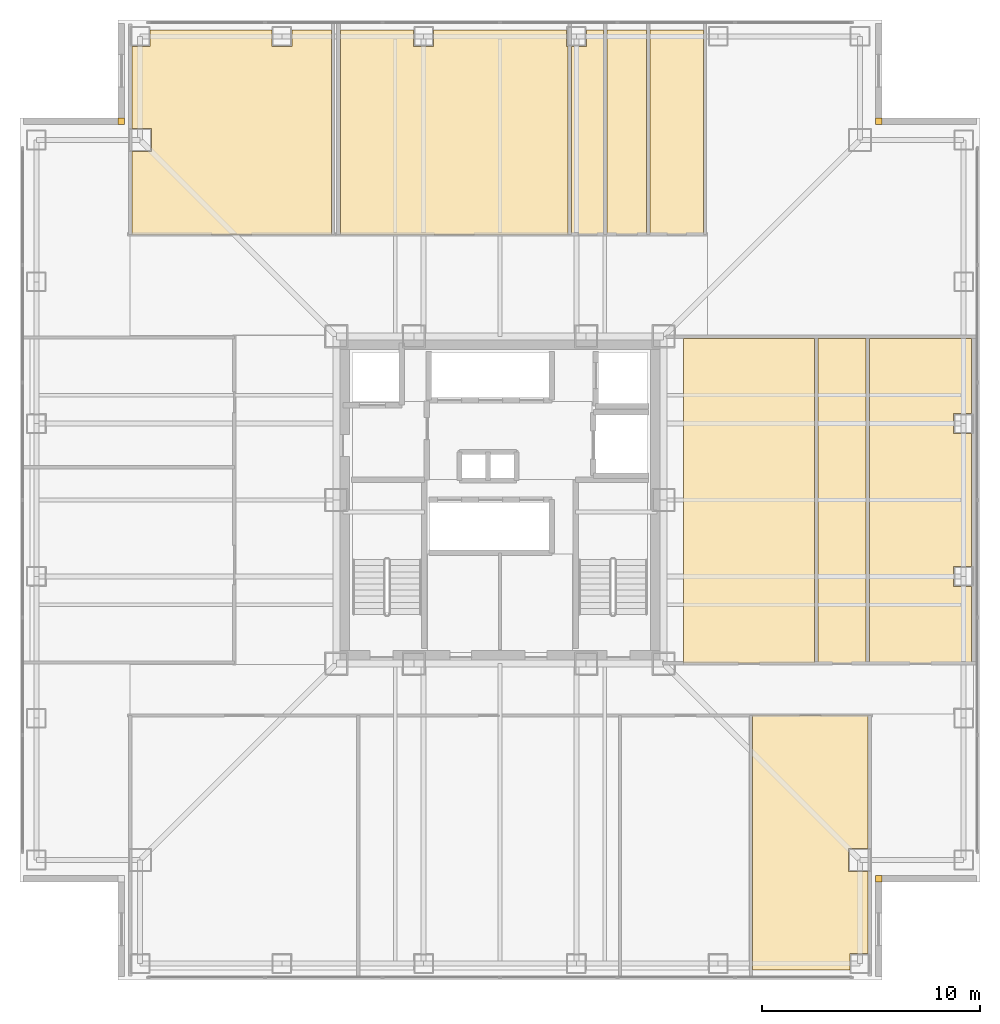
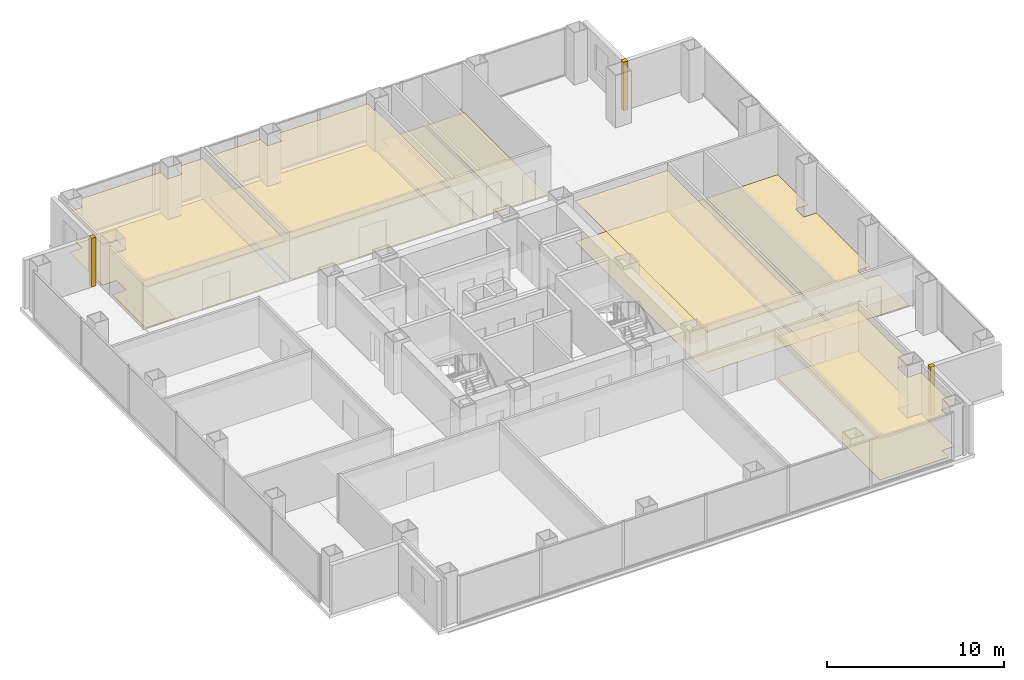
# One storey, part 14 of 14: 16 coverings.
"""IFC4 building model written with IfcOpenShell, lengths in metres."""

from ifc_helpers import new_model, si_unit, direction, frame, origin, place, context, subcontext, project, spatial, polyline, outline, extrude, material, layer, layer_set, type_object, element, save


model = new_model("IFC4")

# Units and contexts
model_context = context("Model", 3, precision=1e-05, world=origin(), true_north=direction((0.0, 1.0)))
body_context = subcontext(model_context, "Body", "Model", "MODEL_VIEW")
ifc_project = project(units=[si_unit("LENGTHUNIT", "METRE"), si_unit("AREAUNIT", "SQUARE_METRE"), si_unit("VOLUMEUNIT", "CUBIC_METRE"), si_unit("PLANEANGLEUNIT", "RADIAN"), si_unit("MASSUNIT", "GRAM", prefix="KILO")], contexts=[model_context])

# Site, building, storey
site_placement = place(None, origin())
site = spatial("IfcSite", under=ifc_project, at=site_placement, CompositionType="ELEMENT")
building_placement = place(site_placement, origin())
building = spatial("IfcBuilding", under=site, at=building_placement, Name="Trevonay Congress Spire", CompositionType="ELEMENT")
storey_placement = place(building_placement, frame((0.0, 0.0, 119.199951171875)))
storey = spatial("IfcBuildingStorey", under=building, at=storey_placement, Name="L30", CompositionType="ELEMENT", Elevation=119.199951171875)

# Coverings
ifc_material_1 = material(Name="Acoustic Mineral Fibre Board", Category="gypsum")
ifc_layer_1 = layer(ifc_material_1, 0.02490234375, Name="Acoustic Mineral Fibre Board")
ifc_layer_set_1 = layer_set([ifc_layer_1], Name="Acoustic Mineral Fibre Board")
covering_type_1 = type_object("IfcCoveringType", Name="COV-CEIL-ACOUSTIC", PredefinedType="CEILING", material=ifc_layer_set_1)
covering_1_placement = place(storey_placement, frame((0.0, 0.0, 2.81005859375)))
element("IfcCovering", 1, at=covering_1_placement, inside=storey, type_object=covering_type_1, Name="L30 Dishwash and Pastry Pantry acoustic suspended ceiling", PredefinedType="CEILING", context=body_context, shape_type="SweptSolid", body=[
    extrude(outline(polyline([(11.580078125, -21.550048828125), (11.580078125, -9.8798828125), (16.8701171875, -9.8798828125), (16.8701171875, -15.965087890625), (15.965087890625, -15.965087890625), (15.965087890625, -17.034912109375), (16.8701171875, -17.034912109375), (16.8701171875, -20.7900390625), (16.0400390625, -20.7900390625), (16.0400390625, -21.550048828125), (11.580078125, -21.550048828125)])), origin(), (0.0, 0.0, 1.0), 0.02490234375),
])
covering_2_placement = place(storey_placement, frame((0.0, 0.0, 2.81005859375)))
element("IfcCovering", 2, at=covering_2_placement, inside=storey, type_object=covering_type_1, Name="L30 North-West Terrace Cafe Lounge acoustic suspended ceiling", PredefinedType="CEILING", context=body_context, shape_type="SweptSolid", body=[
    extrude(outline(polyline([(-7.72998046875, 21.550048828125), (-7.72998046875, 12.179931640625), (-16.8701171875, 12.179931640625), (-16.8701171875, 15.965087890625), (-15.965087890625, 15.965087890625), (-15.965087890625, 17.034912109375), (-16.8701171875, 17.034912109375), (-16.8701171875, 20.7900390625), (-16.0400390625, 20.7900390625), (-16.0400390625, 21.550048828125), (-10.4599609375, 21.550048828125), (-10.4599609375, 20.7900390625), (-9.5400390625, 20.7900390625), (-9.5400390625, 21.550048828125), (-7.72998046875, 21.550048828125)])), origin(), (0.0, 0.0, 1.0), 0.02490234375),
])
covering_3_placement = place(storey_placement, frame((0.0, 0.0, 2.81005859375)))
element("IfcCovering", 3, at=covering_3_placement, inside=storey, type_object=covering_type_1, Name="L30 International Press Club Lounge acoustic suspended ceiling", PredefinedType="CEILING", context=body_context, shape_type="SweptSolid", body=[
    extrude(outline(polyline([(3.1201171875, 12.179931640625), (-7.320068359375, 12.179931640625), (-7.320068359375, 21.550048828125), (-3.9599609375, 21.550048828125), (-3.9599609375, 20.7900390625), (-3.0400390625, 20.7900390625), (-3.0400390625, 21.550048828125), (3.0400390625, 21.550048828125), (3.0400390625, 20.7900390625), (3.1201171875, 20.7900390625), (3.1201171875, 12.179931640625)])), origin(), (0.0, 0.0, 1.0), 0.02490234375),
])
covering_4_placement = place(storey_placement, frame((0.0, 0.0, 2.81005859375)))
element("IfcCovering", 4, at=covering_4_placement, inside=storey, type_object=covering_type_1, Name="L30 Press Editorial Office acoustic suspended ceiling", PredefinedType="CEILING", context=body_context, shape_type="SweptSolid", body=[
    extrude(outline(polyline([(8.39990234375, -7.47998046875), (14.419921875, -7.47998046875), (14.419921875, 7.39990234375), (8.39990234375, 7.39990234375), (8.39990234375, -7.47998046875)])), origin(), (0.0, 0.0, 1.0), 0.02490234375),
])
ifc_material_2 = material(Name="Polished Granite Floor Tile", Category="masonry")
ifc_layer_2 = layer(ifc_material_2, 0.02001953125, Name="Polished Granite Floor Tile")
ifc_layer_set_2 = layer_set([ifc_layer_2], Name="Polished Granite Floor Tile")
covering_type_2 = type_object("IfcCoveringType", Name="COV-FLOOR-STONE", PredefinedType="FLOORING", material=ifc_layer_set_2)
covering_5_placement = place(storey_placement, origin())
element("IfcCovering", 5, at=covering_5_placement, inside=storey, type_object=covering_type_2, Name="L30 Dishwash and Pastry Pantry floor finish", PredefinedType="FLOORING", context=body_context, shape_type="SweptSolid", body=[
    extrude(outline(polyline([(11.580078125, -21.550048828125), (11.580078125, -9.8798828125), (16.8701171875, -9.8798828125), (16.8701171875, -15.965087890625), (15.965087890625, -15.965087890625), (15.965087890625, -17.034912109375), (16.8701171875, -17.034912109375), (16.8701171875, -20.7900390625), (16.0400390625, -20.7900390625), (16.0400390625, -21.550048828125), (11.580078125, -21.550048828125)])), origin(), (0.0, 0.0, 1.0), 0.02001953125),
])
covering_6_placement = place(storey_placement, origin())
element("IfcCovering", 6, at=covering_6_placement, inside=storey, type_object=covering_type_2, Name="L30 Accessible WC floor finish", PredefinedType="FLOORING", context=body_context, shape_type="SweptSolid", body=[
    extrude(outline(polyline([(4.75, 21.550048828125), (4.75, 12.179931640625), (3.280029296875, 12.179931640625), (3.280029296875, 20.7900390625), (3.9599609375, 20.7900390625), (3.9599609375, 21.550048828125), (4.75, 21.550048828125)])), origin(), (0.0, 0.0, 1.0), 0.02001953125),
])
covering_7_placement = place(storey_placement, origin())
element("IfcCovering", 7, at=covering_7_placement, inside=storey, type_object=covering_type_2, Name="L30 Floor Supplies and Copy Room floor finish", PredefinedType="FLOORING", context=body_context, shape_type="SweptSolid", body=[
    extrude(outline(polyline([(4.909912109375, 12.179931640625), (6.719970703125, 12.179931640625), (6.719970703125, 21.550048828125), (4.909912109375, 21.550048828125), (4.909912109375, 12.179931640625)])), origin(), (0.0, 0.0, 1.0), 0.02001953125),
])
covering_8_placement = place(storey_placement, origin())
element("IfcCovering", 8, at=covering_8_placement, inside=storey, type_object=covering_type_2, Name="L30 Female Restroom WC floor finish", PredefinedType="FLOORING", context=body_context, shape_type="SweptSolid", body=[
    extrude(outline(polyline([(6.8798828125, 12.179931640625), (9.320068359375, 12.179931640625), (9.320068359375, 21.550048828125), (6.8798828125, 21.550048828125), (6.8798828125, 12.179931640625)])), origin(), (0.0, 0.0, 1.0), 0.02001953125),
])
covering_9_placement = place(storey_placement, origin())
element("IfcCovering", 9, at=covering_9_placement, inside=storey, type_object=covering_type_2, Name="L30 Male Restroom WC floor finish", PredefinedType="FLOORING", context=body_context, shape_type="SweptSolid", body=[
    extrude(outline(polyline([(14.580078125, -7.47998046875), (16.77001953125, -7.47998046875), (16.77001953125, 7.39990234375), (14.580078125, 7.39990234375), (14.580078125, -7.47998046875)])), origin(), (0.0, 0.0, 1.0), 0.02001953125),
])
covering_10_placement = place(storey_placement, origin())
element("IfcCovering", 10, at=covering_10_placement, inside=storey, type_object=covering_type_2, Name="L30 Floor Supplies and Copy Room floor finish", PredefinedType="FLOORING", context=body_context, shape_type="SweptSolid", body=[
    extrude(outline(polyline([(21.6201171875, -7.47998046875), (16.929931640625, -7.47998046875), (16.929931640625, 7.39990234375), (21.6201171875, 7.39990234375), (21.6201171875, 3.9599609375), (20.7900390625, 3.9599609375), (20.7900390625, 3.0400390625), (21.6201171875, 3.0400390625), (21.6201171875, -3.0400390625), (20.7900390625, -3.0400390625), (20.7900390625, -3.9599609375), (21.6201171875, -3.9599609375), (21.6201171875, -7.47998046875)])), origin(), (0.0, 0.0, 1.0), 0.02001953125),
])
ifc_material_3 = material(Name="Engineered Oak Flooring", Category="wood")
ifc_layer_3 = layer(ifc_material_3, 0.01806640625, Name="Engineered Oak Flooring")
ifc_layer_set_3 = layer_set([ifc_layer_3], Name="Engineered Oak Flooring")
covering_type_3 = type_object("IfcCoveringType", Name="COV-FLOOR-TIMBER", PredefinedType="FLOORING", material=ifc_layer_set_3)
covering_11_placement = place(storey_placement, origin())
element("IfcCovering", 11, at=covering_11_placement, inside=storey, type_object=covering_type_3, Name="L30 North-West Terrace Cafe Lounge floor finish", PredefinedType="FLOORING", context=body_context, shape_type="SweptSolid", body=[
    extrude(outline(polyline([(-7.72998046875, 21.550048828125), (-7.72998046875, 12.179931640625), (-16.8701171875, 12.179931640625), (-16.8701171875, 15.965087890625), (-15.965087890625, 15.965087890625), (-15.965087890625, 17.034912109375), (-16.8701171875, 17.034912109375), (-16.8701171875, 20.7900390625), (-16.0400390625, 20.7900390625), (-16.0400390625, 21.550048828125), (-10.4599609375, 21.550048828125), (-10.4599609375, 20.7900390625), (-9.5400390625, 20.7900390625), (-9.5400390625, 21.550048828125), (-7.72998046875, 21.550048828125)])), origin(), (0.0, 0.0, 1.0), 0.01806640625),
])
covering_12_placement = place(storey_placement, origin())
element("IfcCovering", 12, at=covering_12_placement, inside=storey, type_object=covering_type_3, Name="L30 International Press Club Lounge floor finish", PredefinedType="FLOORING", context=body_context, shape_type="SweptSolid", body=[
    extrude(outline(polyline([(3.1201171875, 12.179931640625), (-7.320068359375, 12.179931640625), (-7.320068359375, 21.550048828125), (-3.9599609375, 21.550048828125), (-3.9599609375, 20.7900390625), (-3.0400390625, 20.7900390625), (-3.0400390625, 21.550048828125), (3.0400390625, 21.550048828125), (3.0400390625, 20.7900390625), (3.1201171875, 20.7900390625), (3.1201171875, 12.179931640625)])), origin(), (0.0, 0.0, 1.0), 0.01806640625),
])
covering_13_placement = place(storey_placement, origin())
element("IfcCovering", 13, at=covering_13_placement, inside=storey, type_object=covering_type_3, Name="L30 Press Editorial Office floor finish", PredefinedType="FLOORING", context=body_context, shape_type="SweptSolid", body=[
    extrude(outline(polyline([(8.39990234375, -7.47998046875), (14.419921875, -7.47998046875), (14.419921875, 7.39990234375), (8.39990234375, 7.39990234375), (8.39990234375, -7.47998046875)])), origin(), (0.0, 0.0, 1.0), 0.01806640625),
])
ifc_material_4 = material(Name="Pale Anodised Aluminium EN AW-6063-T6", Category="aluminium")
ifc_layer_4 = layer(ifc_material_4, 0.0400390625, Name="Pale Anodised Aluminium EN AW-6063-T6")
ifc_layer_set_4 = layer_set([ifc_layer_4], Name="Pale Anodised Aluminium EN AW-6063-T6")
covering_type_4 = type_object("IfcCoveringType", Name="COV-SPANDREL-PALE-METAL", PredefinedType="CLADDING", material=ifc_layer_set_4)
covering_14_placement = place(storey_placement, origin())
element("IfcCovering", 14, at=covering_14_placement, inside=storey, type_object=covering_type_4, Name="L30 SE re-entrant notch corner closure trim", PredefinedType="CLADDING", context=body_context, shape_type="SweptSolid", body=[
    extrude(outline(polyline([(17.199951171875, -17.5), (17.5, -17.5), (17.5, -17.199951171875), (17.199951171875, -17.199951171875), (17.199951171875, -17.5)])), origin(), (0.0, 0.0, 1.0), 3.360107421875),
])
covering_15_placement = place(storey_placement, origin())
element("IfcCovering", 15, at=covering_15_placement, inside=storey, type_object=covering_type_4, Name="L30 NE re-entrant notch corner closure trim", PredefinedType="CLADDING", context=body_context, shape_type="SweptSolid", body=[
    extrude(outline(polyline([(17.199951171875, 17.199951171875), (17.5, 17.199951171875), (17.5, 17.5), (17.199951171875, 17.5), (17.199951171875, 17.199951171875)])), origin(), (0.0, 0.0, 1.0), 3.360107421875),
])
covering_16_placement = place(storey_placement, origin())
element("IfcCovering", 16, at=covering_16_placement, inside=storey, type_object=covering_type_4, Name="L30 NW re-entrant notch corner closure trim", PredefinedType="CLADDING", context=body_context, shape_type="SweptSolid", body=[
    extrude(outline(polyline([(-17.5, 17.199951171875), (-17.199951171875, 17.199951171875), (-17.199951171875, 17.5), (-17.5, 17.5), (-17.5, 17.199951171875)])), origin(), (0.0, 0.0, 1.0), 3.360107421875),
])

save(model, "model.ifc")
